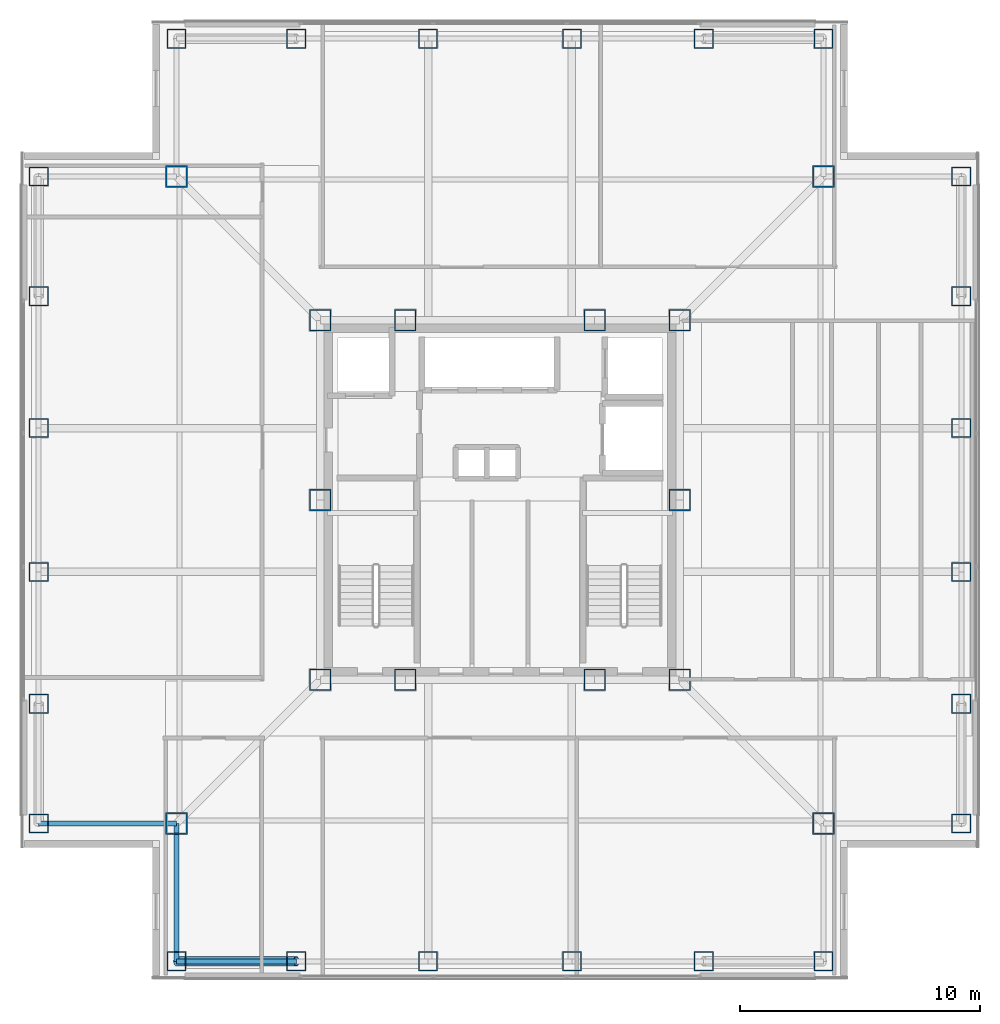
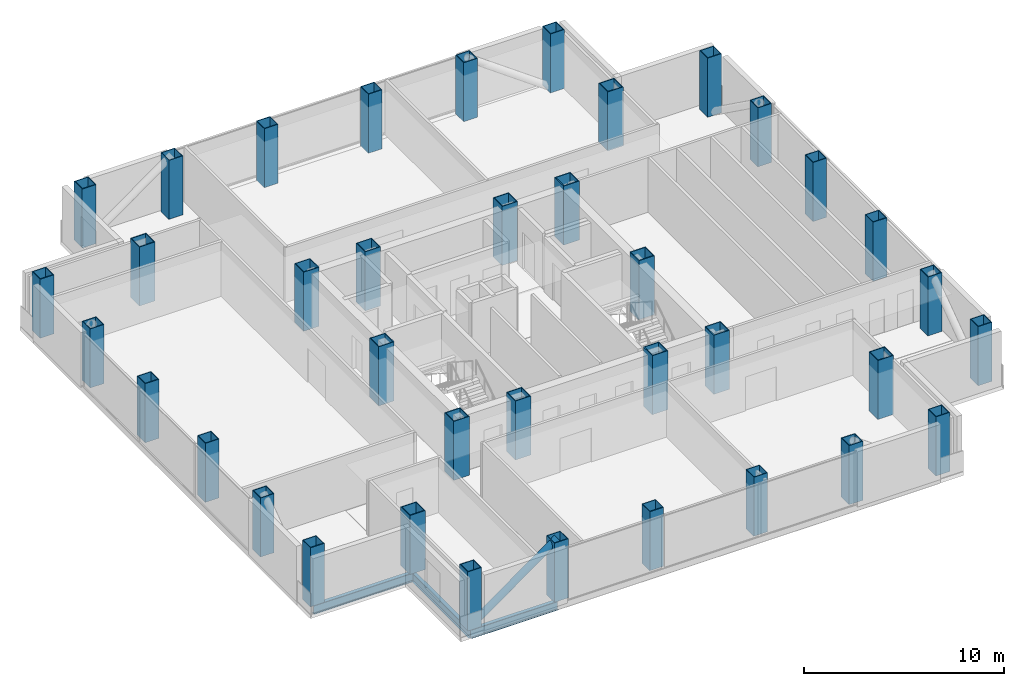
# One storey, part 1 of 17: 38 columns, 3 beams, 1 member.
"""IFC4 building model written with IfcOpenShell, lengths in metres."""

from ifc_helpers import new_model, si_unit, direction, frame, origin, origin_2d, place, context, subcontext, project, spatial, hollow_rectangle, hollow_circle, i_section, extrude, material, material_profile, profile_set, type_object, element, save


model = new_model("IFC4")

# Units and contexts
model_context = context("Model", 3, precision=1e-05, world=origin(), true_north=direction((0.0, 1.0)))
body_context = subcontext(model_context, "Body", "Model", "MODEL_VIEW")
ifc_project = project(units=[si_unit("LENGTHUNIT", "METRE"), si_unit("AREAUNIT", "SQUARE_METRE"), si_unit("VOLUMEUNIT", "CUBIC_METRE"), si_unit("PLANEANGLEUNIT", "RADIAN"), si_unit("MASSUNIT", "GRAM", prefix="KILO")], contexts=[model_context])

# Site, building, storey
site_placement = place(None, origin())
site = spatial("IfcSite", under=ifc_project, at=site_placement, CompositionType="ELEMENT")
building_placement = place(site_placement, origin())
building = spatial("IfcBuilding", under=site, at=building_placement, Name="Trevonay Congress Spire", CompositionType="ELEMENT")
storey_placement = place(building_placement, frame((0.0, 0.0, 191.39990234375)))
storey = spatial("IfcBuildingStorey", under=building, at=storey_placement, Name="L49", CompositionType="ELEMENT", Elevation=191.39990234375)

# Columns
ifc_material_1 = material(Name="Steel ASTM A572 Grade 50", Category="steel")
ifc_material_profile_1 = material_profile(ifc_material_1, hollow_rectangle(XDim=0.89990234375, YDim=0.89990234375, WallThickness=0.044921875, at=origin_2d()), Name="BOX 900x900x45")
ifc_profile_set_1 = profile_set([ifc_material_profile_1], Name="Steel ASTM A572 Grade 50")
column_type_1 = type_object("IfcColumnType", Name="COL-CORE-BOX900", PredefinedType="COLUMN", material=ifc_profile_set_1)
for number, where, z_axis, x_axis, name in (
    (1, (-7.5, -7.5, 0.0), (0.0, 0.0, 1.0), (1.0, 0.0, 0.0), "L49 column C04 at CC-SW"),
    (2, (-3.949951171875, -7.5, 0.0), (0.0, 0.0, 1.0), (1.0, 0.0, 0.0), "L49 column C04 at CC-SMW"),
    (3, (3.949951171875, -7.5, 0.0), (0.0, 0.0, 1.0), (1.0, 0.0, 0.0), "L49 column C04 at CC-SME"),
    (4, (7.5, -7.5, 0.0), (0.0, 0.0, 1.0), (1.0, 0.0, 0.0), "L49 column C04 at CC-SE"),
    (5, (7.5, 0.0, 0.0), (0.0, 0.0, 1.0), (1.0, 0.0, 0.0), "L49 column C04 at CC-E"),
    (6, (7.5, 7.5, 0.0), (0.0, 0.0, 1.0), (1.0, 0.0, 0.0), "L49 column C04 at CC-NE"),
    (7, (3.949951171875, 7.5, 0.0), (0.0, 0.0, 1.0), (1.0, 0.0, 0.0), "L49 column C04 at CC-NME"),
    (8, (-3.949951171875, 7.5, 0.0), (0.0, 0.0, 1.0), (1.0, 0.0, 0.0), "L49 column C04 at CC-NMW"),
    (9, (-7.5, 7.5, 0.0), (0.0, 0.0, 1.0), (1.0, 0.0, 0.0), "L49 column C04 at CC-NW"),
    (10, (-7.5, 0.0, 0.0), (0.0, 0.0, 1.0), (1.0, 0.0, 0.0), "L49 column C04 at CC-W"),
):
    element("IfcColumn", number, at=place(storey_placement, frame(where, z_axis=z_axis, x_axis=x_axis)), inside=storey, type_object=column_type_1, Name=name, PredefinedType="COLUMN", context=body_context, shape_type="SweptSolid", body=[
        extrude(hollow_rectangle(XDim=0.89990234375, YDim=0.89990234375, WallThickness=0.044921875, at=origin_2d()), origin(), (0.0, 0.0, 1.0), 3.60009765625),
    ])
ifc_material_profile_2 = material_profile(ifc_material_1, hollow_rectangle(XDim=0.800048828125, YDim=0.800048828125, WallThickness=0.0400390625, at=origin_2d()), Name="BOX 800x800x40")
ifc_profile_set_2 = profile_set([ifc_material_profile_2], Name="Steel ASTM A572 Grade 50")
column_type_2 = type_object("IfcColumnType", Name="COL-TUBE-BOX800", PredefinedType="COLUMN", material=ifc_profile_set_2)
for number, where, z_axis, x_axis, name in (
    (11, (-13.5, -19.25, 0.0), (0.0, 0.0, 1.0), (1.0, 0.0, 0.0), "L49 column C16 at TS-1"),
    (12, (-13.5, 19.25, 0.0), (0.0, 0.0, 1.0), (1.0, 0.0, 0.0), "L49 column C16 at TN-1"),
    (13, (-19.25, -13.5, 0.0), (0.0, 0.0, 1.0), (1.0, 0.0, 0.0), "L49 column C16 at TW-1"),
    (14, (19.25, -13.5, 0.0), (0.0, 0.0, 1.0), (1.0, 0.0, 0.0), "L49 column C16 at TE-1"),
    (15, (-8.5, -19.25, 0.0), (0.0, 0.0, 1.0), (1.0, 0.0, 0.0), "L49 column C16 at TS-2"),
    (16, (-8.5, 19.25, 0.0), (0.0, 0.0, 1.0), (1.0, 0.0, 0.0), "L49 column C16 at TN-2"),
    (17, (-19.25, -8.5, 0.0), (0.0, 0.0, 1.0), (1.0, 0.0, 0.0), "L49 column C16 at TW-2"),
    (18, (19.25, -8.5, 0.0), (0.0, 0.0, 1.0), (1.0, 0.0, 0.0), "L49 column C16 at TE-2"),
    (19, (-3.0, -19.25, 0.0), (0.0, 0.0, 1.0), (1.0, 0.0, 0.0), "L49 column C16 at TS-3"),
    (20, (-3.0, 19.25, 0.0), (0.0, 0.0, 1.0), (1.0, 0.0, 0.0), "L49 column C16 at TN-3"),
    (21, (-19.25, -3.0, 0.0), (0.0, 0.0, 1.0), (1.0, 0.0, 0.0), "L49 column C16 at TW-3"),
    (22, (19.25, -3.0, 0.0), (0.0, 0.0, 1.0), (1.0, 0.0, 0.0), "L49 column C16 at TE-3"),
    (23, (3.0, -19.25, 0.0), (0.0, 0.0, 1.0), (1.0, 0.0, 0.0), "L49 column C16 at TS-4"),
    (24, (3.0, 19.25, 0.0), (0.0, 0.0, 1.0), (1.0, 0.0, 0.0), "L49 column C16 at TN-4"),
    (25, (-19.25, 3.0, 0.0), (0.0, 0.0, 1.0), (1.0, 0.0, 0.0), "L49 column C16 at TW-4"),
    (26, (19.25, 3.0, 0.0), (0.0, 0.0, 1.0), (1.0, 0.0, 0.0), "L49 column C16 at TE-4"),
    (27, (8.5, -19.25, 0.0), (0.0, 0.0, 1.0), (1.0, 0.0, 0.0), "L49 column C16 at TS-5"),
    (28, (8.5, 19.25, 0.0), (0.0, 0.0, 1.0), (1.0, 0.0, 0.0), "L49 column C16 at TN-5"),
    (29, (-19.25, 8.5, 0.0), (0.0, 0.0, 1.0), (1.0, 0.0, 0.0), "L49 column C16 at TW-5"),
    (30, (19.25, 8.5, 0.0), (0.0, 0.0, 1.0), (1.0, 0.0, 0.0), "L49 column C16 at TE-5"),
    (31, (13.5, -19.25, 0.0), (0.0, 0.0, 1.0), (1.0, 0.0, 0.0), "L49 column C16 at TS-6"),
    (32, (13.5, 19.25, 0.0), (0.0, 0.0, 1.0), (1.0, 0.0, 0.0), "L49 column C16 at TN-6"),
    (33, (-19.25, 13.5, 0.0), (0.0, 0.0, 1.0), (1.0, 0.0, 0.0), "L49 column C16 at TW-6"),
    (34, (19.25, 13.5, 0.0), (0.0, 0.0, 1.0), (1.0, 0.0, 0.0), "L49 column C16 at TE-6"),
):
    element("IfcColumn", number, at=place(storey_placement, frame(where, z_axis=z_axis, x_axis=x_axis)), inside=storey, type_object=column_type_2, Name=name, PredefinedType="COLUMN", context=body_context, shape_type="SweptSolid", body=[
        extrude(hollow_rectangle(XDim=0.800048828125, YDim=0.800048828125, WallThickness=0.0400390625, at=origin_2d()), origin(), (0.0, 0.0, 1.0), 3.60009765625),
    ])
ifc_material_profile_3 = material_profile(ifc_material_1, hollow_rectangle(XDim=0.89990234375, YDim=0.89990234375, WallThickness=0.044921875, at=origin_2d()), Name="BOX 900x900x45")
ifc_profile_set_3 = profile_set([ifc_material_profile_3], Name="Steel ASTM A572 Grade 50")
column_type_3 = type_object("IfcColumnType", Name="COL-TUBE-BOX900", PredefinedType="COLUMN", material=ifc_profile_set_3)
for number, where, z_axis, x_axis, name in (
    (35, (-13.5, -13.5, 0.0), (0.0, 0.0, 1.0), (1.0, 0.0, 0.0), "L49 column C15 at NC-SW"),
    (36, (13.5, -13.5, 0.0), (0.0, 0.0, 1.0), (1.0, 0.0, 0.0), "L49 column C15 at NC-SE"),
    (37, (13.5, 13.5, 0.0), (0.0, 0.0, 1.0), (1.0, 0.0, 0.0), "L49 column C15 at NC-NE"),
    (38, (-13.5, 13.5, 0.0), (0.0, 0.0, 1.0), (1.0, 0.0, 0.0), "L49 column C15 at NC-NW"),
):
    element("IfcColumn", number, at=place(storey_placement, frame(where, z_axis=z_axis, x_axis=x_axis)), inside=storey, type_object=column_type_3, Name=name, PredefinedType="COLUMN", context=body_context, shape_type="SweptSolid", body=[
        extrude(hollow_rectangle(XDim=0.89990234375, YDim=0.89990234375, WallThickness=0.044921875, at=origin_2d()), origin(), (0.0, 0.0, 1.0), 3.60009765625),
    ])

# Beams
ifc_material_profile_4 = material_profile(ifc_material_1, i_section(OverallWidth=0.2119140625, OverallDepth=0.5439453125, WebThickness=0.01318359375, FlangeThickness=0.021240234375, FilletRadius=0.014892578125, at=origin_2d()), Name="W530x123")
ifc_profile_set_4 = profile_set([ifc_material_profile_4], Name="Steel ASTM A572 Grade 50")
beam_type = type_object("IfcBeamType", Name="BM-RING-W530X123", PredefinedType="BEAM", material=ifc_profile_set_4)
beam_placement = place(storey_placement, frame((-13.5, -19.25, -0.511962890625), z_axis=(1.0, 0.0, 0.0), x_axis=(0.0, 1.0, 0.0)))
element("IfcBeam", 39, at=beam_placement, inside=storey, type_object=beam_type, Name="L49 structural beam BM-L49-PS1", PredefinedType="BEAM", context=body_context, shape_type="SweptSolid", body=[
    extrude(i_section(OverallWidth=0.2119140625, OverallDepth=0.5439453125, WebThickness=0.01318359375, FlangeThickness=0.021240234375, FilletRadius=0.014892578125, at=origin_2d()), origin(), (0.0, 0.0, 1.0), 5.0),
])
for number, where, z_axis, x_axis, name in (
    (40, (-13.5, -19.25, -0.511962890625), (0.0, 1.0, 0.0), (-1.0, 0.0, 0.0), "L49 structural beam BM-L49-N1SW"),
    (41, (-19.25, -13.5, -0.511962890625), (1.0, 0.0, 0.0), (0.0, 1.0, 0.0), "L49 structural beam BM-L49-N2SW"),
):
    element("IfcBeam", number, at=place(storey_placement, frame(where, z_axis=z_axis, x_axis=x_axis)), inside=storey, type_object=beam_type, Name=name, PredefinedType="BEAM", context=body_context, shape_type="SweptSolid", body=[
        extrude(i_section(OverallWidth=0.2119140625, OverallDepth=0.5439453125, WebThickness=0.01318359375, FlangeThickness=0.021240234375, FilletRadius=0.014892578125, at=origin_2d()), origin(), (0.0, 0.0, 1.0), 5.75),
    ])

# Member
ifc_material_2 = material(Name="Steel ASTM A500 Grade C", Category="steel")
ifc_material_profile_5 = material_profile(ifc_material_2, hollow_circle(Radius=0.203125, WallThickness=0.02001953125, at=origin_2d()), Name="CHS 406.4x20")
ifc_profile_set_5 = profile_set([ifc_material_profile_5], Name="Steel ASTM A500 Grade C")
member_type = type_object("IfcMemberType", Name="MBR-TUBE-CHS406", PredefinedType="BRACE", material=ifc_profile_set_5)
member_placement = place(storey_placement, frame((-13.5, -19.25, -0.0498046875), z_axis=(0.811545615365, 0.0, 0.584289067313), x_axis=(0.0, 1.0, 0.0)))
element("IfcMember", 42, at=member_placement, inside=storey, type_object=member_type, Name="L49 perimeter braced-tube diagonal S0", PredefinedType="BRACE", context=body_context, shape_type="SweptSolid", body=[
    extrude(hollow_circle(Radius=0.203125, WallThickness=0.02001953125, at=origin_2d()), origin(), (0.0, 0.0, 1.0), 6.1611328125),
])

save(model, "model.ifc")
